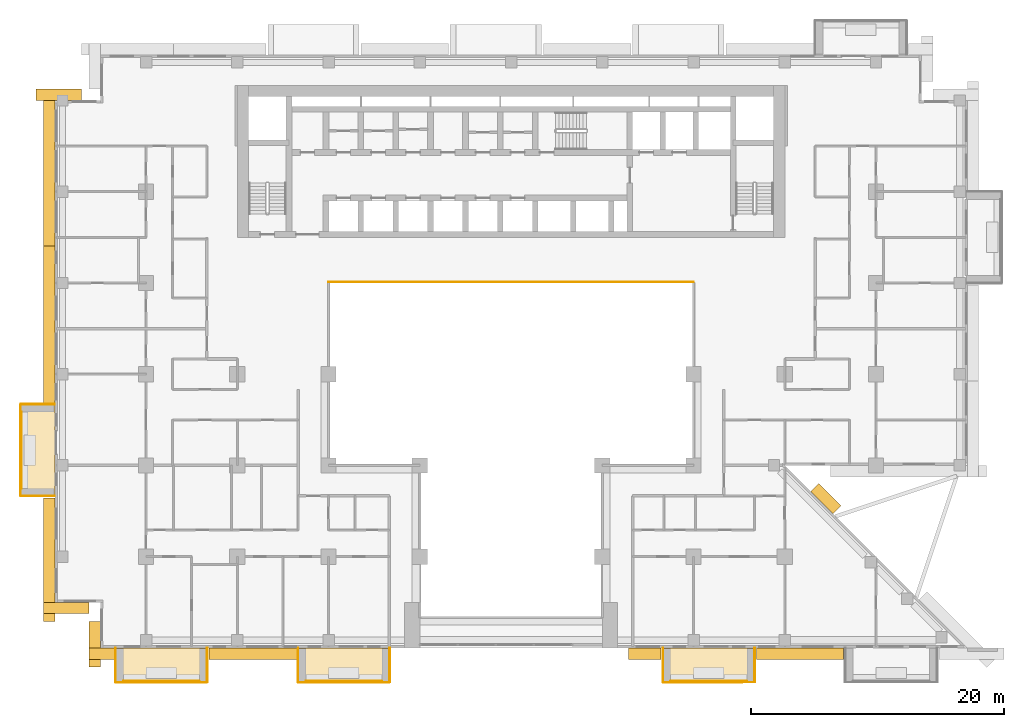
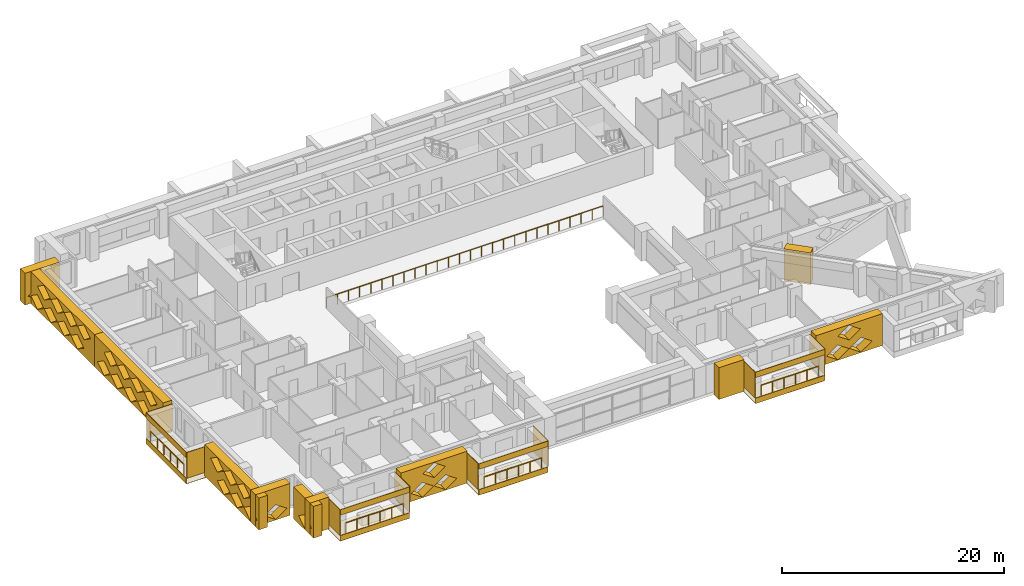
# One storey, part 14 of 17: 31 coverings, 5 railings.
"""IFC4 building model written with IfcOpenShell, lengths in metres."""

from ifc_helpers import new_model, si_unit, direction, frame, origin, origin_2d, place, context, subcontext, project, spatial, polyline, circle, outline, extrude, material, layer, layer_set, type_object, element, save


model = new_model("IFC4")

# Units and contexts
model_context = context("Model", 3, precision=1e-05, world=origin(), true_north=direction((0.0, 1.0)))
body_context = subcontext(model_context, "Body", "Model", "MODEL_VIEW")
ifc_project = project(units=[si_unit("LENGTHUNIT", "METRE"), si_unit("AREAUNIT", "SQUARE_METRE"), si_unit("VOLUMEUNIT", "CUBIC_METRE"), si_unit("PLANEANGLEUNIT", "RADIAN"), si_unit("MASSUNIT", "GRAM", prefix="KILO")], contexts=[model_context])

# Site, building, storey
site_placement = place(None, origin())
site = spatial("IfcSite", under=ifc_project, at=site_placement, CompositionType="ELEMENT")
building_placement = place(site_placement, origin())
building = spatial("IfcBuilding", under=site, at=building_placement, Name="Saffron Iwan Residences", CompositionType="ELEMENT")
storey_placement = place(building_placement, frame((0.0, 0.0, 97.0)))
storey = spatial("IfcBuildingStorey", under=building, at=storey_placement, Name="L25", CompositionType="ELEMENT", Elevation=97.0)

# Railings
ifc_material_1 = material(Name="Stainless steel 316", Category="steel")
railing_type_1 = type_object("IfcRailingType", Name="Atrium guard 1150", PredefinedType="GUARDRAIL", material=ifc_material_1)
railing_1_placement = place(storey_placement, frame((36.0, 62.47509765625, 0.0)))
element("IfcRailing", 1, at=railing_1_placement, inside=storey, type_object=railing_type_1, Name="Atrium guard L25", PredefinedType="GUARDRAIL", context=body_context, shape_type="SweptSolid", body=[
    extrude(circle(Radius=0.02392578125, at=origin_2d()), frame((0.0, 0.0, 1.1259765625), z_axis=(1.0, 0.0, 0.0), x_axis=(0.0, 1.0, 0.0)), (0.0, 0.0, 1.0), 28.800048828125),
    extrude(circle(Radius=0.02099609375, at=origin_2d()), origin(), (0.0, 0.0, 1.0), 1.101806640625),
    extrude(circle(Radius=0.02099609375, at=origin_2d()), frame((1.152099609375, 0.0, 0.0)), (0.0, 0.0, 1.0), 1.101806640625),
    extrude(circle(Radius=0.02099609375, at=origin_2d()), frame((2.303955078125, 0.0, 0.0)), (0.0, 0.0, 1.0), 1.101806640625),
    extrude(circle(Radius=0.02099609375, at=origin_2d()), frame((3.4560546875, 0.0, 0.0)), (0.0, 0.0, 1.0), 1.101806640625),
    extrude(circle(Radius=0.02099609375, at=origin_2d()), frame((4.60791015625, 0.0, 0.0)), (0.0, 0.0, 1.0), 1.101806640625),
    extrude(circle(Radius=0.02099609375, at=origin_2d()), frame((5.760009765625, 0.0, 0.0)), (0.0, 0.0, 1.0), 1.101806640625),
    extrude(circle(Radius=0.02099609375, at=origin_2d()), frame((6.912109375, 0.0, 0.0)), (0.0, 0.0, 1.0), 1.101806640625),
    extrude(circle(Radius=0.02099609375, at=origin_2d()), frame((8.06396484375, 0.0, 0.0)), (0.0, 0.0, 1.0), 1.101806640625),
    extrude(circle(Radius=0.02099609375, at=origin_2d()), frame((9.216064453125, 0.0, 0.0)), (0.0, 0.0, 1.0), 1.101806640625),
    extrude(circle(Radius=0.02099609375, at=origin_2d()), frame((10.367919921875, 0.0, 0.0)), (0.0, 0.0, 1.0), 1.101806640625),
    extrude(circle(Radius=0.02099609375, at=origin_2d()), frame((11.52001953125, 0.0, 0.0)), (0.0, 0.0, 1.0), 1.101806640625),
    extrude(circle(Radius=0.02099609375, at=origin_2d()), frame((12.672119140625, 0.0, 0.0)), (0.0, 0.0, 1.0), 1.101806640625),
    extrude(circle(Radius=0.02099609375, at=origin_2d()), frame((13.823974609375, 0.0, 0.0)), (0.0, 0.0, 1.0), 1.101806640625),
    extrude(circle(Radius=0.02099609375, at=origin_2d()), frame((14.97607421875, 0.0, 0.0)), (0.0, 0.0, 1.0), 1.101806640625),
    extrude(circle(Radius=0.02099609375, at=origin_2d()), frame((16.1279296875, 0.0, 0.0)), (0.0, 0.0, 1.0), 1.101806640625),
    extrude(circle(Radius=0.02099609375, at=origin_2d()), frame((17.280029296875, 0.0, 0.0)), (0.0, 0.0, 1.0), 1.101806640625),
    extrude(circle(Radius=0.02099609375, at=origin_2d()), frame((18.43212890625, 0.0, 0.0)), (0.0, 0.0, 1.0), 1.101806640625),
    extrude(circle(Radius=0.02099609375, at=origin_2d()), frame((19.583984375, 0.0, 0.0)), (0.0, 0.0, 1.0), 1.101806640625),
    extrude(circle(Radius=0.02099609375, at=origin_2d()), frame((20.736083984375, 0.0, 0.0)), (0.0, 0.0, 1.0), 1.101806640625),
    extrude(circle(Radius=0.02099609375, at=origin_2d()), frame((21.887939453125, 0.0, 0.0)), (0.0, 0.0, 1.0), 1.101806640625),
    extrude(circle(Radius=0.02099609375, at=origin_2d()), frame((23.0400390625, 0.0, 0.0)), (0.0, 0.0, 1.0), 1.101806640625),
    extrude(circle(Radius=0.02099609375, at=origin_2d()), frame((24.192138671875, 0.0, 0.0)), (0.0, 0.0, 1.0), 1.101806640625),
    extrude(circle(Radius=0.02099609375, at=origin_2d()), frame((25.343994140625, 0.0, 0.0)), (0.0, 0.0, 1.0), 1.101806640625),
    extrude(circle(Radius=0.02099609375, at=origin_2d()), frame((26.49609375, 0.0, 0.0)), (0.0, 0.0, 1.0), 1.101806640625),
    extrude(circle(Radius=0.02099609375, at=origin_2d()), frame((27.64794921875, 0.0, 0.0)), (0.0, 0.0, 1.0), 1.101806640625),
    extrude(circle(Radius=0.02099609375, at=origin_2d()), frame((28.800048828125, 0.0, 0.0)), (0.0, 0.0, 1.0), 1.101806640625),
])
railing_type_2 = type_object("IfcRailingType", Name="BALCONY GUARD 1150", PredefinedType="GUARDRAIL", material=ifc_material_1)
railing_2_placement = place(storey_placement, frame((11.77490234375, 52.199951171875, 0.0)))
element("IfcRailing", 2, at=railing_2_placement, inside=storey, type_object=railing_type_2, Name="Balcony guard L25 F8-1", PredefinedType="GUARDRAIL", context=body_context, shape_type="SweptSolid", body=[
    extrude(circle(Radius=0.02392578125, at=origin_2d()), frame((0.0, 0.0, 1.1259765625), z_axis=(0.0, -1.0, 0.0), x_axis=(1.0, 0.0, 0.0)), (0.0, 0.0, 1.0), 6.0),
    extrude(circle(Radius=0.02099609375, at=origin_2d()), origin(), (0.0, 0.0, 1.0), 1.101806640625),
    extrude(circle(Radius=0.02099609375, at=origin_2d()), frame((0.0, -1.199951171875, 0.0)), (0.0, 0.0, 1.0), 1.101806640625),
    extrude(circle(Radius=0.02099609375, at=origin_2d()), frame((0.0, -2.39990234375, 0.0)), (0.0, 0.0, 1.0), 1.101806640625),
    extrude(circle(Radius=0.02099609375, at=origin_2d()), frame((0.0, -3.60009765625, 0.0)), (0.0, 0.0, 1.0), 1.101806640625),
    extrude(circle(Radius=0.02099609375, at=origin_2d()), frame((0.0, -4.800048828125, 0.0)), (0.0, 0.0, 1.0), 1.101806640625),
    extrude(circle(Radius=0.02099609375, at=origin_2d()), frame((0.0, -6.0, 0.0)), (0.0, 0.0, 1.0), 1.101806640625),
])
for number, where, name in (
    (3, (19.800048828125, 30.97509765625, 0.0), "Balcony guard L25 11-0"),
    (4, (34.199951171875, 30.97509765625, 0.0), "Balcony guard L25 11-1"),
    (5, (63.0, 30.97509765625, 0.0), "Balcony guard L25 11-2"),
):
    element("IfcRailing", number, at=place(storey_placement, frame(where)), inside=storey, type_object=railing_type_2, Name=name, PredefinedType="GUARDRAIL", context=body_context, shape_type="SweptSolid", body=[
        extrude(circle(Radius=0.02392578125, at=origin_2d()), frame((0.0, 0.0, 1.1259765625), z_axis=(1.0, 0.0, 0.0), x_axis=(0.0, 1.0, 0.0)), (0.0, 0.0, 1.0), 6.0),
        extrude(circle(Radius=0.02099609375, at=origin_2d()), origin(), (0.0, 0.0, 1.0), 1.101806640625),
        extrude(circle(Radius=0.02099609375, at=origin_2d()), frame((1.199951171875, 0.0, 0.0)), (0.0, 0.0, 1.0), 1.101806640625),
        extrude(circle(Radius=0.02099609375, at=origin_2d()), frame((2.39990234375, 0.0, 0.0)), (0.0, 0.0, 1.0), 1.101806640625),
        extrude(circle(Radius=0.02099609375, at=origin_2d()), frame((3.60009765625, 0.0, 0.0)), (0.0, 0.0, 1.0), 1.101806640625),
        extrude(circle(Radius=0.02099609375, at=origin_2d()), frame((4.800048828125, 0.0, 0.0)), (0.0, 0.0, 1.0), 1.101806640625),
        extrude(circle(Radius=0.02099609375, at=origin_2d()), frame((6.0, 0.0, 0.0)), (0.0, 0.0, 1.0), 1.101806640625),
    ])

# Coverings
ifc_material_2 = material(Name="Precast concrete C40/50 white painted", Category="concrete")
ifc_layer = layer(ifc_material_2, 0.050048828125)
ifc_layer_set = layer_set([ifc_layer], Name="Precast concrete C40/50 white painted")
covering_type_1 = type_object("IfcCoveringType", Name="FRAME SKIN PRECAST WHITE 50", PredefinedType="CLADDING", material=ifc_layer_set)
for number, where, name in (
    (6, (0.0, 0.0, -0.60009765625), "Frame skin slab edge L25 F8-1"),
    (7, (0.0, 0.0, 2.25), "Frame skin fascia L25 F8-1"),
):
    element("IfcCovering", number, at=place(storey_placement, frame(where)), inside=storey, type_object=covering_type_1, Name=name, PredefinedType="CLADDING", context=body_context, shape_type="SweptSolid", body=[
        extrude(outline(polyline([(11.64990234375, 52.800048828125), (11.64990234375, 45.60009765625), (11.699951171875, 45.60009765625), (11.699951171875, 52.800048828125), (11.64990234375, 52.800048828125)])), origin(), (0.0, 0.0, 1.0), 0.60009765625),
    ])
covering_1_placement = place(storey_placement, frame((0.0, 0.0, -0.64990234375)))
element("IfcCovering", 8, at=covering_1_placement, inside=storey, type_object=covering_type_1, Name="Frame skin soffit L25 F8-1", PredefinedType="CLADDING", context=body_context, shape_type="SweptSolid", body=[
    extrude(outline(polyline([(11.699951171875, 52.800048828125), (11.699951171875, 45.60009765625), (14.39990234375, 45.60009765625), (14.39990234375, 52.800048828125), (11.699951171875, 52.800048828125)])), origin(), (0.0, 0.0, 1.0), 0.0498046875),
])
covering_2_placement = place(storey_placement, origin())
element("IfcCovering", 9, at=covering_2_placement, inside=storey, type_object=covering_type_1, Name="Frame skin fin L25 F8-1a", PredefinedType="CLADDING", context=body_context, shape_type="SweptSolid", body=[
    extrude(outline(polyline([(11.699951171875, 52.85009765625), (11.699951171875, 52.800048828125), (14.39990234375, 52.800048828125), (14.39990234375, 52.85009765625), (11.699951171875, 52.85009765625)])), origin(), (0.0, 0.0, 1.0), 2.85009765625),
])
covering_3_placement = place(storey_placement, origin())
element("IfcCovering", 10, at=covering_3_placement, inside=storey, type_object=covering_type_1, Name="Frame skin fin L25 F8-1b", PredefinedType="CLADDING", context=body_context, shape_type="SweptSolid", body=[
    extrude(outline(polyline([(11.699951171875, 45.60009765625), (11.699951171875, 45.550048828125), (14.39990234375, 45.550048828125), (14.39990234375, 45.60009765625), (11.699951171875, 45.60009765625)])), origin(), (0.0, 0.0, 1.0), 2.85009765625),
])
for number, where, name in (
    (11, (0.0, 0.0, -0.60009765625), "Frame skin slab edge L25 11-0"),
    (12, (0.0, 0.0, 2.25), "Frame skin fascia L25 11-0"),
):
    element("IfcCovering", number, at=place(storey_placement, frame(where)), inside=storey, type_object=covering_type_1, Name=name, PredefinedType="CLADDING", context=body_context, shape_type="SweptSolid", body=[
        extrude(outline(polyline([(19.199951171875, 30.85009765625), (26.39990234375, 30.85009765625), (26.39990234375, 30.89990234375), (19.199951171875, 30.89990234375), (19.199951171875, 30.85009765625)])), origin(), (0.0, 0.0, 1.0), 0.60009765625),
    ])
covering_4_placement = place(storey_placement, frame((0.0, 0.0, -0.64990234375)))
element("IfcCovering", 13, at=covering_4_placement, inside=storey, type_object=covering_type_1, Name="Frame skin soffit L25 11-0", PredefinedType="CLADDING", context=body_context, shape_type="SweptSolid", body=[
    extrude(outline(polyline([(19.199951171875, 30.89990234375), (26.39990234375, 30.89990234375), (26.39990234375, 33.60009765625), (19.199951171875, 33.60009765625), (19.199951171875, 30.89990234375)])), origin(), (0.0, 0.0, 1.0), 0.0498046875),
])
covering_5_placement = place(storey_placement, origin())
element("IfcCovering", 14, at=covering_5_placement, inside=storey, type_object=covering_type_1, Name="Frame skin fin L25 11-0a", PredefinedType="CLADDING", context=body_context, shape_type="SweptSolid", body=[
    extrude(outline(polyline([(19.14990234375, 30.89990234375), (19.199951171875, 30.89990234375), (19.199951171875, 33.60009765625), (19.14990234375, 33.60009765625), (19.14990234375, 30.89990234375)])), origin(), (0.0, 0.0, 1.0), 2.85009765625),
])
covering_6_placement = place(storey_placement, origin())
element("IfcCovering", 15, at=covering_6_placement, inside=storey, type_object=covering_type_1, Name="Frame skin fin L25 11-0b", PredefinedType="CLADDING", context=body_context, shape_type="SweptSolid", body=[
    extrude(outline(polyline([(26.39990234375, 30.89990234375), (26.449951171875, 30.89990234375), (26.449951171875, 33.60009765625), (26.39990234375, 33.60009765625), (26.39990234375, 30.89990234375)])), origin(), (0.0, 0.0, 1.0), 2.85009765625),
])
for number, where, name in (
    (16, (0.0, 0.0, -0.60009765625), "Frame skin slab edge L25 11-1"),
    (17, (0.0, 0.0, 2.25), "Frame skin fascia L25 11-1"),
):
    element("IfcCovering", number, at=place(storey_placement, frame(where)), inside=storey, type_object=covering_type_1, Name=name, PredefinedType="CLADDING", context=body_context, shape_type="SweptSolid", body=[
        extrude(outline(polyline([(33.60009765625, 30.85009765625), (40.800048828125, 30.85009765625), (40.800048828125, 30.89990234375), (33.60009765625, 30.89990234375), (33.60009765625, 30.85009765625)])), origin(), (0.0, 0.0, 1.0), 0.60009765625),
    ])
covering_7_placement = place(storey_placement, frame((0.0, 0.0, -0.64990234375)))
element("IfcCovering", 18, at=covering_7_placement, inside=storey, type_object=covering_type_1, Name="Frame skin soffit L25 11-1", PredefinedType="CLADDING", context=body_context, shape_type="SweptSolid", body=[
    extrude(outline(polyline([(33.60009765625, 30.89990234375), (40.800048828125, 30.89990234375), (40.800048828125, 33.60009765625), (33.60009765625, 33.60009765625), (33.60009765625, 30.89990234375)])), origin(), (0.0, 0.0, 1.0), 0.0498046875),
])
covering_8_placement = place(storey_placement, origin())
element("IfcCovering", 19, at=covering_8_placement, inside=storey, type_object=covering_type_1, Name="Frame skin fin L25 11-1a", PredefinedType="CLADDING", context=body_context, shape_type="SweptSolid", body=[
    extrude(outline(polyline([(33.550048828125, 30.89990234375), (33.60009765625, 30.89990234375), (33.60009765625, 33.60009765625), (33.550048828125, 33.60009765625), (33.550048828125, 30.89990234375)])), origin(), (0.0, 0.0, 1.0), 2.85009765625),
])
covering_9_placement = place(storey_placement, origin())
element("IfcCovering", 20, at=covering_9_placement, inside=storey, type_object=covering_type_1, Name="Frame skin fin L25 11-1b", PredefinedType="CLADDING", context=body_context, shape_type="SweptSolid", body=[
    extrude(outline(polyline([(40.800048828125, 30.89990234375), (40.85009765625, 30.89990234375), (40.85009765625, 33.60009765625), (40.800048828125, 33.60009765625), (40.800048828125, 30.89990234375)])), origin(), (0.0, 0.0, 1.0), 2.85009765625),
])
for number, where, name in (
    (21, (0.0, 0.0, -0.60009765625), "Frame skin slab edge L25 11-2"),
    (22, (0.0, 0.0, 2.25), "Frame skin fascia L25 11-2"),
):
    element("IfcCovering", number, at=place(storey_placement, frame(where)), inside=storey, type_object=covering_type_1, Name=name, PredefinedType="CLADDING", context=body_context, shape_type="SweptSolid", body=[
        extrude(outline(polyline([(62.39990234375, 30.85009765625), (69.60009765625, 30.85009765625), (69.60009765625, 30.89990234375), (62.39990234375, 30.89990234375), (62.39990234375, 30.85009765625)])), origin(), (0.0, 0.0, 1.0), 0.60009765625),
    ])
covering_10_placement = place(storey_placement, frame((0.0, 0.0, -0.64990234375)))
element("IfcCovering", 23, at=covering_10_placement, inside=storey, type_object=covering_type_1, Name="Frame skin soffit L25 11-2", PredefinedType="CLADDING", context=body_context, shape_type="SweptSolid", body=[
    extrude(outline(polyline([(62.39990234375, 30.89990234375), (69.60009765625, 30.89990234375), (69.60009765625, 33.60009765625), (62.39990234375, 33.60009765625), (62.39990234375, 30.89990234375)])), origin(), (0.0, 0.0, 1.0), 0.0498046875),
])
covering_11_placement = place(storey_placement, origin())
element("IfcCovering", 24, at=covering_11_placement, inside=storey, type_object=covering_type_1, Name="Frame skin fin L25 11-2a", PredefinedType="CLADDING", context=body_context, shape_type="SweptSolid", body=[
    extrude(outline(polyline([(62.35009765625, 30.89990234375), (62.39990234375, 30.89990234375), (62.39990234375, 33.60009765625), (62.35009765625, 33.60009765625), (62.35009765625, 30.89990234375)])), origin(), (0.0, 0.0, 1.0), 2.85009765625),
])
covering_12_placement = place(storey_placement, origin())
element("IfcCovering", 25, at=covering_12_placement, inside=storey, type_object=covering_type_1, Name="Frame skin fin L25 11-2b", PredefinedType="CLADDING", context=body_context, shape_type="SweptSolid", body=[
    extrude(outline(polyline([(69.60009765625, 30.89990234375), (69.64990234375, 30.89990234375), (69.64990234375, 33.60009765625), (69.60009765625, 33.60009765625), (69.60009765625, 30.89990234375)])), origin(), (0.0, 0.0, 1.0), 2.85009765625),
])
ifc_material_3 = material(Name="Precast concrete C40/50", Category="concrete")
covering_type_2 = type_object("IfcCoveringType", Name="OUTER SKIN LATTICE SCREEN", PredefinedType="CLADDING", material=ifc_material_3)
covering_13_placement = place(storey_placement, frame((75.805908203125, 44.194091796875, -0.320068359375), z_axis=(0.707106781187, 0.707106781187, 0.0), x_axis=(-0.707106781187, 0.707106781187, 0.0)))
element("IfcCovering", 26, at=covering_13_placement, inside=storey, type_object=covering_type_2, Name="OUTER SKIN lattice screen L25 F0.1", PredefinedType="CLADDING", context=body_context, shape_type="SweptSolid", body=[
    extrude(outline(polyline([(0.0, 0.0), (2.4853515625, 0.0), (2.4853515625, 3.5), (0.0, 3.5), (0.0, 0.0)])), origin(), (0.0, 0.0, 1.0), 0.900146484375),
])
covering_14_placement = place(storey_placement, frame((16.5, 76.800048828125, -0.320068359375), z_axis=(0.0, 1.0, 0.0), x_axis=(-1.0, 0.0, 0.0)))
element("IfcCovering", 27, at=covering_14_placement, inside=storey, type_object=covering_type_2, Name="OUTER SKIN lattice screen L25 F7.0", PredefinedType="CLADDING", context=body_context, shape_type="SweptSolid", body=[
    extrude(outline(polyline([(0.0, 0.0), (3.60009765625, 0.0), (3.60009765625, 3.5), (0.0, 3.5), (0.0, 0.0)]), holes=[polyline([(0.919921875, 0.875), (2.10009765625, 0.06005859375), (3.280029296875, 0.875), (2.10009765625, 1.68994140625), (0.919921875, 0.875)])]), origin(), (0.0, 0.0, 1.0), 0.89990234375),
])
covering_15_placement = place(storey_placement, frame((14.39990234375, 77.699951171875, -0.320068359375), z_axis=(-1.0, 0.0, 0.0), x_axis=(0.0, -1.0, 0.0)))
element("IfcCovering", 28, at=covering_15_placement, inside=storey, type_object=covering_type_2, Name="OUTER SKIN lattice screen L25 F8.0", PredefinedType="CLADDING", context=body_context, shape_type="SweptSolid", body=[
    extrude(outline(polyline([(0.0, 0.0), (12.375, 0.0), (12.375, 3.5), (0.0, 3.5), (0.0, 0.0)]), holes=[polyline([(0.919921875, 0.875), (2.10009765625, 0.06005859375), (3.280029296875, 0.875), (2.10009765625, 1.68994140625), (0.919921875, 0.875)]), polyline([(3.320068359375, 0.875), (4.5, 0.06005859375), (5.679931640625, 0.875), (4.5, 1.68994140625), (3.320068359375, 0.875)]), polyline([(5.719970703125, 0.875), (6.89990234375, 0.06005859375), (8.080078125, 0.875), (6.89990234375, 1.68994140625), (5.719970703125, 0.875)]), polyline([(8.1201171875, 0.875), (9.300048828125, 0.06005859375), (10.47998046875, 0.875), (9.300048828125, 1.68994140625), (8.1201171875, 0.875)]), polyline([(2.1201171875, 2.625), (3.300048828125, 1.81005859375), (4.47998046875, 2.625), (3.300048828125, 3.43994140625), (2.1201171875, 2.625)]), polyline([(4.52001953125, 2.625), (5.699951171875, 1.81005859375), (6.8798828125, 2.625), (5.699951171875, 3.43994140625), (4.52001953125, 2.625)]), polyline([(6.919921875, 2.625), (8.10009765625, 1.81005859375), (9.280029296875, 2.625), (8.10009765625, 3.43994140625), (6.919921875, 2.625)]), polyline([(9.320068359375, 2.625), (10.5, 1.81005859375), (11.679931640625, 2.625), (10.5, 3.43994140625), (9.320068359375, 2.625)])]), origin(), (0.0, 0.0, 1.0), 0.89990234375),
])
covering_16_placement = place(storey_placement, frame((14.39990234375, 65.324951171875, -0.320068359375), z_axis=(-1.0, 0.0, 0.0), x_axis=(0.0, -1.0, 0.0)))
element("IfcCovering", 29, at=covering_16_placement, inside=storey, type_object=covering_type_2, Name="OUTER SKIN lattice screen L25 F8.1", PredefinedType="CLADDING", context=body_context, shape_type="SweptSolid", body=[
    extrude(outline(polyline([(0.0, 0.0), (12.375, 0.0), (12.375, 3.5), (0.0, 3.5), (0.0, 0.0)]), holes=[polyline([(0.544921875, 0.875), (1.72509765625, 0.06005859375), (2.905029296875, 0.875), (1.72509765625, 1.68994140625), (0.544921875, 0.875)]), polyline([(2.945068359375, 0.875), (4.125, 0.06005859375), (5.304931640625, 0.875), (4.125, 1.68994140625), (2.945068359375, 0.875)]), polyline([(5.344970703125, 0.875), (6.52490234375, 0.06005859375), (7.705078125, 0.875), (6.52490234375, 1.68994140625), (5.344970703125, 0.875)]), polyline([(7.7451171875, 0.875), (8.925048828125, 0.06005859375), (10.10498046875, 0.875), (8.925048828125, 1.68994140625), (7.7451171875, 0.875)]), polyline([(1.7451171875, 2.625), (2.925048828125, 1.81005859375), (4.10498046875, 2.625), (2.925048828125, 3.43994140625), (1.7451171875, 2.625)]), polyline([(4.14501953125, 2.625), (5.324951171875, 1.81005859375), (6.5048828125, 2.625), (5.324951171875, 3.43994140625), (4.14501953125, 2.625)]), polyline([(6.544921875, 2.625), (7.72509765625, 1.81005859375), (8.905029296875, 2.625), (7.72509765625, 3.43994140625), (6.544921875, 2.625)]), polyline([(8.945068359375, 2.625), (10.125, 1.81005859375), (11.304931640625, 2.625), (10.125, 3.43994140625), (8.945068359375, 2.625)])]), origin(), (0.0, 0.0, 1.0), 0.89990234375),
])
covering_17_placement = place(storey_placement, frame((14.39990234375, 45.449951171875, -0.320068359375), z_axis=(-1.0, 0.0, 0.0), x_axis=(0.0, -1.0, 0.0)))
element("IfcCovering", 30, at=covering_17_placement, inside=storey, type_object=covering_type_2, Name="OUTER SKIN lattice screen L25 F8.2", PredefinedType="CLADDING", context=body_context, shape_type="SweptSolid", body=[
    extrude(outline(polyline([(0.0, 0.0), (9.75, 0.0), (9.75, 3.5), (0.0, 3.5), (0.0, 0.0)]), holes=[polyline([(2.27001953125, 0.875), (3.449951171875, 0.06005859375), (4.6298828125, 0.875), (3.449951171875, 1.68994140625), (2.27001953125, 0.875)]), polyline([(4.669921875, 0.875), (5.85009765625, 0.06005859375), (7.030029296875, 0.875), (5.85009765625, 1.68994140625), (4.669921875, 0.875)]), polyline([(7.070068359375, 0.875), (8.25, 0.06005859375), (9.429931640625, 0.875), (8.25, 1.68994140625), (7.070068359375, 0.875)]), polyline([(1.070068359375, 2.625), (2.25, 1.81005859375), (3.429931640625, 2.625), (2.25, 3.43994140625), (1.070068359375, 2.625)]), polyline([(3.469970703125, 2.625), (4.64990234375, 1.81005859375), (5.830078125, 2.625), (4.64990234375, 3.43994140625), (3.469970703125, 2.625)]), polyline([(5.8701171875, 2.625), (7.050048828125, 1.81005859375), (8.22998046875, 2.625), (7.050048828125, 3.43994140625), (5.8701171875, 2.625)])]), origin(), (0.0, 0.0, 1.0), 0.89990234375),
])
for number, where, z_axis, x_axis, name in (
    (31, (13.5, 37.199951171875, -0.320068359375), (0.0, -1.0, 0.0), (1.0, 0.0, 0.0), "OUTER SKIN lattice screen L25 F9.0"),
    (32, (18.0, 35.699951171875, -0.320068359375), (-1.0, 0.0, 0.0), (0.0, -1.0, 0.0), "OUTER SKIN lattice screen L25 F10.0"),
):
    element("IfcCovering", number, at=place(storey_placement, frame(where, z_axis=z_axis, x_axis=x_axis)), inside=storey, type_object=covering_type_2, Name=name, PredefinedType="CLADDING", context=body_context, shape_type="SweptSolid", body=[
        extrude(outline(polyline([(0.0, 0.0), (3.60009765625, 0.0), (3.60009765625, 3.5), (0.0, 3.5), (0.0, 0.0)]), holes=[polyline([(0.919921875, 0.875), (2.10009765625, 0.06005859375), (3.280029296875, 0.875), (2.10009765625, 1.68994140625), (0.919921875, 0.875)])]), origin(), (0.0, 0.0, 1.0), 0.89990234375),
    ])
covering_18_placement = place(storey_placement, frame((17.10009765625, 33.60009765625, -0.320068359375), z_axis=(0.0, -1.0, 0.0), x_axis=(1.0, 0.0, 0.0)))
element("IfcCovering", 33, at=covering_18_placement, inside=storey, type_object=covering_type_2, Name="OUTER SKIN lattice screen L25 F11.0", PredefinedType="CLADDING", context=body_context, shape_type="SweptSolid", body=[
    extrude(outline(polyline([(0.0, 0.0), (1.949951171875, 0.0), (1.949951171875, 3.5), (0.0, 3.5), (0.0, 0.0)])), origin(), (0.0, 0.0, 1.0), 0.900146484375),
])
covering_19_placement = place(storey_placement, frame((26.550048828125, 33.60009765625, -0.320068359375), z_axis=(0.0, -1.0, 0.0), x_axis=(1.0, 0.0, 0.0)))
element("IfcCovering", 34, at=covering_19_placement, inside=storey, type_object=covering_type_2, Name="OUTER SKIN lattice screen L25 F11.1", PredefinedType="CLADDING", context=body_context, shape_type="SweptSolid", body=[
    extrude(outline(polyline([(0.0, 0.0), (6.89990234375, 0.0), (6.89990234375, 3.5), (0.0, 3.5), (0.0, 0.0)]), holes=[polyline([(1.070068359375, 0.875), (2.25, 0.06005859375), (3.429931640625, 0.875), (2.25, 1.68994140625), (1.070068359375, 0.875)]), polyline([(3.469970703125, 0.875), (4.64990234375, 0.06005859375), (5.830078125, 0.875), (4.64990234375, 1.68994140625), (3.469970703125, 0.875)]), polyline([(2.27001953125, 2.625), (3.449951171875, 1.81005859375), (4.6298828125, 2.625), (3.449951171875, 3.43994140625), (2.27001953125, 2.625)])]), origin(), (0.0, 0.0, 1.0), 0.900146484375),
])
covering_20_placement = place(storey_placement, frame((59.64990234375, 33.60009765625, -0.320068359375), z_axis=(0.0, -1.0, 0.0), x_axis=(1.0, 0.0, 0.0)))
element("IfcCovering", 35, at=covering_20_placement, inside=storey, type_object=covering_type_2, Name="OUTER SKIN lattice screen L25 F11.2", PredefinedType="CLADDING", context=body_context, shape_type="SweptSolid", body=[
    extrude(outline(polyline([(0.0, 0.0), (2.60009765625, 0.0), (2.60009765625, 3.5), (0.0, 3.5), (0.0, 0.0)])), origin(), (0.0, 0.0, 1.0), 0.900146484375),
])
covering_21_placement = place(storey_placement, frame((69.75, 33.60009765625, -0.320068359375), z_axis=(0.0, -1.0, 0.0), x_axis=(1.0, 0.0, 0.0)))
element("IfcCovering", 36, at=covering_21_placement, inside=storey, type_object=covering_type_2, Name="OUTER SKIN lattice screen L25 F11.3", PredefinedType="CLADDING", context=body_context, shape_type="SweptSolid", body=[
    extrude(outline(polyline([(0.0, 0.0), (6.89990234375, 0.0), (6.89990234375, 3.5), (0.0, 3.5), (0.0, 0.0)]), holes=[polyline([(1.070068359375, 0.875), (2.25, 0.06005859375), (3.429931640625, 0.875), (2.25, 1.68994140625), (1.070068359375, 0.875)]), polyline([(3.469970703125, 0.875), (4.64990234375, 0.06005859375), (5.830078125, 0.875), (4.64990234375, 1.68994140625), (3.469970703125, 0.875)]), polyline([(2.27001953125, 2.625), (3.449951171875, 1.81005859375), (4.6298828125, 2.625), (3.449951171875, 3.43994140625), (2.27001953125, 2.625)])]), origin(), (0.0, 0.0, 1.0), 0.900146484375),
])

save(model, "model.ifc")
